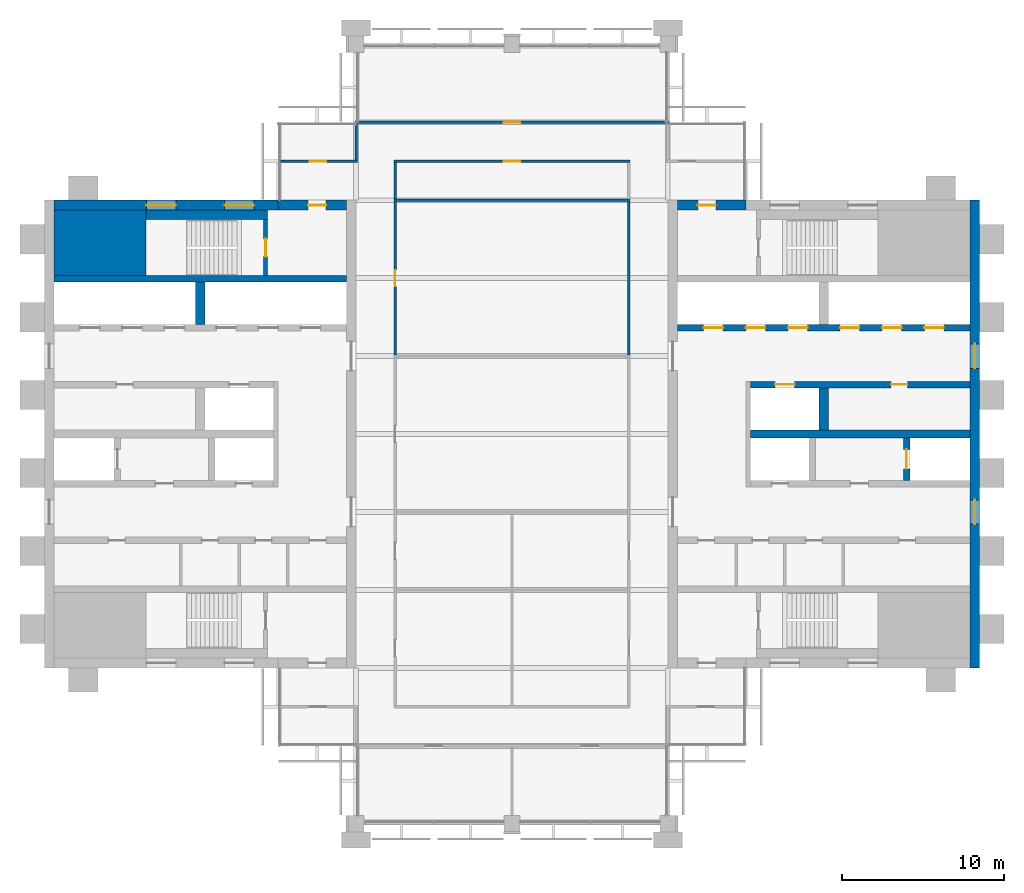
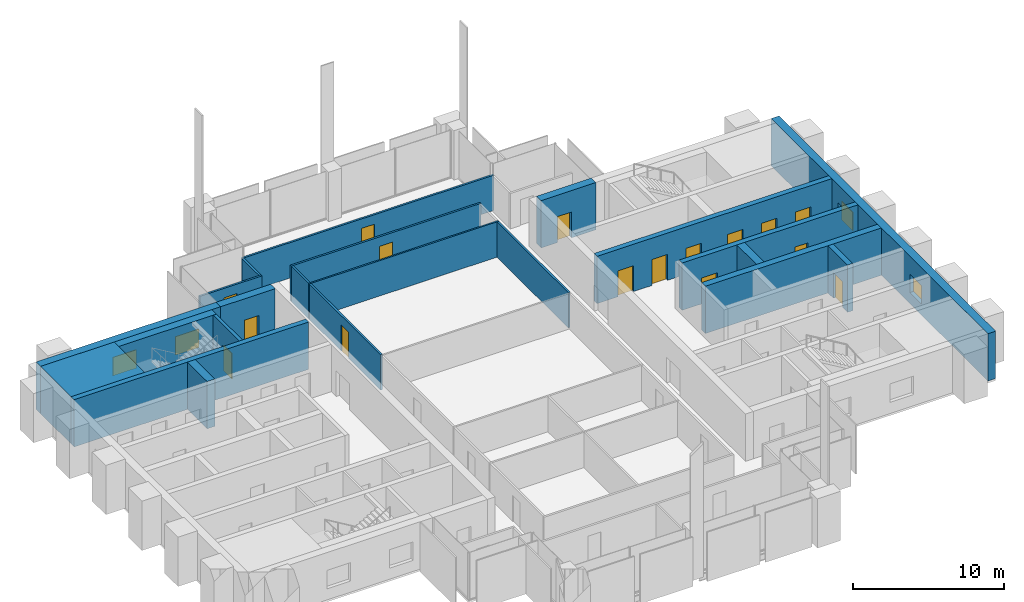
# One storey, part 10 of 12: 22 walls, 16 doors, 4 windows, 20 openings.
"""IFC4 building model written with IfcOpenShell, lengths in metres."""

from ifc_helpers import new_model, si_unit, direction, frame, frame_2d, origin, place, context, subcontext, project, spatial, rectangle, extrude, material, layer, layer_set, type_object, element, fill, save


model = new_model("IFC4")

# Units and contexts
model_context = context("Model", 3, precision=1e-05, world=origin(), true_north=direction((0.0, 1.0)))
body_context = subcontext(model_context, "Body", "Model", "MODEL_VIEW")
ifc_project = project(units=[si_unit("LENGTHUNIT", "METRE"), si_unit("AREAUNIT", "SQUARE_METRE"), si_unit("VOLUMEUNIT", "CUBIC_METRE"), si_unit("PLANEANGLEUNIT", "RADIAN"), si_unit("MASSUNIT", "GRAM", prefix="KILO")], contexts=[model_context])

# Site, building, storey
site_placement = place(None, origin())
site = spatial("IfcSite", under=ifc_project, at=site_placement, CompositionType="ELEMENT")
building_placement = place(site_placement, origin())
building = spatial("IfcBuilding", under=site, at=building_placement, Name="Baori Bourse Tower", CompositionType="ELEMENT")
storey_placement = place(building_placement, frame((0.0, 0.0, 342.300048828125)))
storey = spatial("IfcBuildingStorey", under=building, at=storey_placement, Name="L76", CompositionType="ELEMENT", Elevation=342.300048828125)

# Wall
ifc_material_1 = material(Name="Concrete f'c 40 MPa", Category="concrete")
wall_type_1 = type_object("IfcWallType", Name="Core corner block f'c 40", PredefinedType="SHEAR", material=ifc_material_1)
wall_1_placement = place(storey_placement, frame((0.60009765625, 35.77490234375, 0.0), z_axis=(0.0, 0.0, 1.0), x_axis=(1.0, 0.0, 0.0)))
element("IfcWall", 1, at=wall_1_placement, inside=storey, type_object=wall_type_1, Name="Core wall W23", PredefinedType="SHEAR", context=body_context, shape_type="SweptSolid", body=[
    extrude(rectangle(XDim=5.64990234375, YDim=4.050048828125, at=frame_2d((2.824951171875, 0.0))), origin(), (0.0, 0.0, 1.0), 3.83984375),
])

# Wall, openings, windows
ifc_material_2 = material(Name="Concrete f'c 40 MPa", Category="concrete")
ifc_layer_1 = layer(ifc_material_2, 0.60009765625)
ifc_layer_set_1 = layer_set([ifc_layer_1], Name="Core wall 600 f'c 40")
wall_type_2 = type_object("IfcWallType", Name="Core wall 600 f'c 40", PredefinedType="SHEAR", material=ifc_layer_set_1)
wall_2_placement = place(storey_placement, frame((0.60009765625, 38.10009765625, 0.0), z_axis=(0.0, 0.0, 1.0), x_axis=(1.0, 0.0, 0.0)))
wall_2 = element("IfcWall", 2, at=wall_2_placement, inside=storey, type_object=wall_type_2, Name="Core wall W26", PredefinedType="SHEAR", context=body_context, shape_type="SweptSolid", body=[
    extrude(rectangle(XDim=13.7998046875, YDim=0.60009765625, at=frame_2d((6.89990234375, 0.0))), origin(), (0.0, 0.0, 1.0), 3.83984375),
])
opening_1_placement = place(wall_2_placement, frame((5.699951171875, 0.0, 0.89990234375)))
opening_1 = element("IfcOpeningElement", 3, at=opening_1_placement, cuts=wall_2, Name="Opening L76-KW105", PredefinedType="OPENING", context=body_context, shape_type="SweptSolid", body=[
    extrude(rectangle(XDim=1.800048828125, YDim=1.5, at=frame_2d((0.89990234375, 0.75))), frame((0.0, 0.31005859375, 0.0), z_axis=(0.0, -1.0, 0.0), x_axis=(1.0, 0.0, 0.0)), (0.0, 0.0, 1.0), 0.6201171875),
])
opening_2_placement = place(wall_2_placement, frame((10.5, 0.0, 0.89990234375)))
opening_2 = element("IfcOpeningElement", 4, at=opening_2_placement, cuts=wall_2, Name="Opening L76-KW106", PredefinedType="OPENING", context=body_context, shape_type="SweptSolid", body=[
    extrude(rectangle(XDim=1.800048828125, YDim=1.5, at=frame_2d((0.89990234375, 0.75))), frame((0.0, 0.31005859375, 0.0), z_axis=(0.0, -1.0, 0.0), x_axis=(1.0, 0.0, 0.0)), (0.0, 0.0, 1.0), 0.6201171875),
])
ifc_material_3 = material(Name="Pale anodised aluminium", Category="aluminium")
window_type_1 = type_object("IfcWindowType", Name="Stair window 1800 x 1500", PartitioningType="SINGLE_PANEL", PredefinedType="WINDOW", material=ifc_material_3)
window_1_placement = place(opening_1_placement, origin())
window_1 = element("IfcWindow", 5, at=window_1_placement, inside=storey, type_object=window_type_1, Name="Stair window W L76 5", OverallHeight=1.5, OverallWidth=1.800048828125, PartitioningType="SINGLE_PANEL", PredefinedType="WINDOW", context=body_context, shape_type="SweptSolid", body=[
    extrude(rectangle(XDim=1.800048828125, YDim=1.5, at=frame_2d((0.89990234375, 0.75))), frame((0.0, 0.030029296875, 0.0), z_axis=(0.0, -1.0, 0.0), x_axis=(1.0, 0.0, 0.0)), (0.0, 0.0, 1.0), 0.06005859375),
])
fill(opening_1, window_1)
window_2_placement = place(opening_2_placement, origin())
window_2 = element("IfcWindow", 6, at=window_2_placement, inside=storey, type_object=window_type_1, Name="Stair window W L76 6", OverallHeight=1.5, OverallWidth=1.800048828125, PartitioningType="SINGLE_PANEL", PredefinedType="WINDOW", context=body_context, shape_type="SweptSolid", body=[
    extrude(rectangle(XDim=1.800048828125, YDim=1.5, at=frame_2d((0.89990234375, 0.75))), frame((0.0, 0.030029296875, 0.0), z_axis=(0.0, -1.0, 0.0), x_axis=(1.0, 0.0, 0.0)), (0.0, 0.0, 1.0), 0.06005859375),
])
fill(opening_2, window_2)

# Wall, opening, door
wall_3_placement = place(storey_placement, frame((14.39990234375, 38.10009765625, 0.0), z_axis=(0.0, 0.0, 1.0), x_axis=(1.0, 0.0, 0.0)))
wall_3 = element("IfcWall", 7, at=wall_3_placement, inside=storey, type_object=wall_type_2, Name="Core wall W27", PredefinedType="SHEAR", context=body_context, shape_type="SweptSolid", body=[
    extrude(rectangle(XDim=4.2001953125, YDim=0.60009765625, at=frame_2d((2.10009765625, 0.0))), origin(), (0.0, 0.0, 1.0), 3.83984375),
])
opening_3_placement = place(wall_3_placement, frame((1.85009765625, 0.0, 0.0)))
opening_3 = element("IfcOpeningElement", 8, at=opening_3_placement, cuts=wall_3, Name="Opening L76-D104", PredefinedType="OPENING", context=body_context, shape_type="SweptSolid", body=[
    extrude(rectangle(XDim=1.10009765625, YDim=2.10009765625, at=frame_2d((0.550048828125, 1.050048828125))), frame((0.0, 0.31005859375, 0.0), z_axis=(0.0, -1.0, 0.0), x_axis=(1.0, 0.0, 0.0)), (0.0, 0.0, 1.0), 0.6201171875),
])
ifc_material_4 = material(Name="Painted steel door", Category="steel")
door_type_1 = type_object("IfcDoorType", Name="Stair door 1100", OperationType="SINGLE_SWING_LEFT", PredefinedType="DOOR", material=ifc_material_4)
door_1_placement = place(opening_3_placement, origin())
door_1 = element("IfcDoor", 9, at=door_1_placement, inside=storey, type_object=door_type_1, Name="Stair vestibule door B W L76", OperationType="SINGLE_SWING_LEFT", OverallHeight=2.10009765625, OverallWidth=1.10009765625, PredefinedType="DOOR", context=body_context, shape_type="SweptSolid", body=[
    extrude(rectangle(XDim=1.10009765625, YDim=2.10009765625, at=frame_2d((0.550048828125, 1.050048828125))), frame((0.0, 0.02490234375, 0.0), z_axis=(0.0, -1.0, 0.0), x_axis=(1.0, 0.0, 0.0)), (0.0, 0.0, 1.0), 0.050048828125),
])
fill(opening_3, door_1)

# Wall, openings, windows
wall_4_placement = place(storey_placement, frame((57.300048828125, 38.39990234375, 0.0), z_axis=(0.0, 0.0, 1.0), x_axis=(0.0, -1.0, 0.0)))
wall_4 = element("IfcWall", 10, at=wall_4_placement, inside=storey, type_object=wall_type_2, Name="Core wall E01", PredefinedType="SHEAR", context=body_context, shape_type="SweptSolid", body=[
    extrude(rectangle(XDim=28.7998046875, YDim=0.60009765625, at=frame_2d((14.39990234375, 0.0))), origin(), (0.0, 0.0, 1.0), 3.83984375),
])
opening_4_placement = place(wall_4_placement, frame((18.449951171875, 0.0, 0.89990234375)))
opening_4 = element("IfcOpeningElement", 11, at=opening_4_placement, cuts=wall_4, Name="Opening L76-KW201", PredefinedType="OPENING", context=body_context, shape_type="SweptSolid", body=[
    extrude(rectangle(XDim=1.5, YDim=1.5, at=frame_2d((0.75, 0.75))), frame((0.0, 0.31005859375, 0.0), z_axis=(0.0, -1.0, 0.0), x_axis=(1.0, 0.0, 0.0)), (0.0, 0.0, 1.0), 0.6201171875),
])
opening_5_placement = place(wall_4_placement, frame((8.85009765625, 0.0, 0.89990234375)))
opening_5 = element("IfcOpeningElement", 12, at=opening_5_placement, cuts=wall_4, Name="Opening L76-KW202", PredefinedType="OPENING", context=body_context, shape_type="SweptSolid", body=[
    extrude(rectangle(XDim=1.5, YDim=1.5, at=frame_2d((0.75, 0.75))), frame((0.0, 0.31005859375, 0.0), z_axis=(0.0, -1.0, 0.0), x_axis=(1.0, 0.0, 0.0)), (0.0, 0.0, 1.0), 0.6201171875),
])
ifc_material_5 = material(Name="Pale anodised aluminium", Category="aluminium")
window_type_2 = type_object("IfcWindowType", Name="Lobby window 1500 x 1500", PartitioningType="SINGLE_PANEL", PredefinedType="WINDOW", material=ifc_material_5)
window_3_placement = place(opening_4_placement, origin())
window_3 = element("IfcWindow", 13, at=window_3_placement, inside=storey, type_object=window_type_2, Name="Outer wall window E L76 1", OverallHeight=1.5, OverallWidth=1.5, PartitioningType="SINGLE_PANEL", PredefinedType="WINDOW", context=body_context, shape_type="SweptSolid", body=[
    extrude(rectangle(XDim=1.5, YDim=1.5, at=frame_2d((0.75, 0.75))), frame((0.0, 0.030029296875, 0.0), z_axis=(0.0, -1.0, 0.0), x_axis=(1.0, 0.0, 0.0)), (0.0, 0.0, 1.0), 0.06005859375),
])
fill(opening_4, window_3)
window_4_placement = place(opening_5_placement, origin())
window_4 = element("IfcWindow", 14, at=window_4_placement, inside=storey, type_object=window_type_2, Name="Outer wall window E L76 2", OverallHeight=1.5, OverallWidth=1.5, PartitioningType="SINGLE_PANEL", PredefinedType="WINDOW", context=body_context, shape_type="SweptSolid", body=[
    extrude(rectangle(XDim=1.5, YDim=1.5, at=frame_2d((0.75, 0.75))), frame((0.0, 0.030029296875, 0.0), z_axis=(0.0, -1.0, 0.0), x_axis=(1.0, 0.0, 0.0)), (0.0, 0.0, 1.0), 0.06005859375),
])
fill(opening_5, window_4)

# Wall, opening, door
wall_5_placement = place(storey_placement, frame((39.0, 38.10009765625, 0.0), z_axis=(0.0, 0.0, 1.0), x_axis=(1.0, 0.0, 0.0)))
wall_5 = element("IfcWall", 15, at=wall_5_placement, inside=storey, type_object=wall_type_2, Name="Core wall E27", PredefinedType="SHEAR", context=body_context, shape_type="SweptSolid", body=[
    extrude(rectangle(XDim=4.199951171875, YDim=0.60009765625, at=frame_2d((2.10009765625, 0.0))), origin(), (0.0, 0.0, 1.0), 3.83984375),
])
opening_6_placement = place(wall_5_placement, frame((1.25, 0.0, 0.0)))
opening_6 = element("IfcOpeningElement", 16, at=opening_6_placement, cuts=wall_5, Name="Opening L76-D204", PredefinedType="OPENING", context=body_context, shape_type="SweptSolid", body=[
    extrude(rectangle(XDim=1.10009765625, YDim=2.10009765625, at=frame_2d((0.550048828125, 1.050048828125))), frame((0.0, 0.31005859375, 0.0), z_axis=(0.0, -1.0, 0.0), x_axis=(1.0, 0.0, 0.0)), (0.0, 0.0, 1.0), 0.6201171875),
])
door_2_placement = place(opening_6_placement, origin())
door_2 = element("IfcDoor", 17, at=door_2_placement, inside=storey, type_object=door_type_1, Name="Stair vestibule door B E L76", OperationType="SINGLE_SWING_LEFT", OverallHeight=2.10009765625, OverallWidth=1.10009765625, PredefinedType="DOOR", context=body_context, shape_type="SweptSolid", body=[
    extrude(rectangle(XDim=1.10009765625, YDim=2.10009765625, at=frame_2d((0.550048828125, 1.050048828125))), frame((0.0, 0.02490234375, 0.0), z_axis=(0.0, -1.0, 0.0), x_axis=(1.0, 0.0, 0.0)), (0.0, 0.0, 1.0), 0.050048828125),
])
fill(opening_6, door_2)

ifc_material_6 = material(Name="Gypsum board partition")
ifc_layer_2 = layer(ifc_material_6, 0.14990234375)
ifc_layer_set_2 = layer_set([ifc_layer_2], Name="Corridor partition 150")
wall_type_3 = type_object("IfcWallType", Name="Corridor partition 150", PredefinedType="PARTITIONING", material=ifc_layer_set_2)
wall_6_placement = place(storey_placement, frame((14.5, 40.800048828125, 0.0), z_axis=(0.0, 0.0, 1.0), x_axis=(1.0, 0.0, 0.0)))
wall_6 = element("IfcWall", 18, at=wall_6_placement, inside=storey, type_object=wall_type_3, Name="Partition", PredefinedType="PARTITIONING", context=body_context, shape_type="SweptSolid", body=[
    extrude(rectangle(XDim=4.77490234375, YDim=0.14990234375, at=frame_2d((2.387451171875, 0.0))), origin(), (0.0, 0.0, 1.0), 2.86962890625),
])
opening_7_placement = place(wall_6_placement, frame((1.85009765625, 0.0, 0.0)))
opening_7 = element("IfcOpeningElement", 19, at=opening_7_placement, cuts=wall_6, Name="Opening L76-D05", PredefinedType="OPENING", context=body_context, shape_type="SweptSolid", body=[
    extrude(rectangle(XDim=1.0, YDim=2.10009765625, at=frame_2d((0.5, 1.050048828125))), frame((0.0, 0.0849609375, 0.0), z_axis=(0.0, -1.0, 0.0), x_axis=(1.0, 0.0, 0.0)), (0.0, 0.0, 1.0), 0.169921875),
])
ifc_material_7 = material(Name="Timber door leaf", Category="wood")
door_type_2 = type_object("IfcDoorType", Name="Door 1000 x 2100", OperationType="SINGLE_SWING_LEFT", PredefinedType="DOOR", material=ifc_material_7)
door_3_placement = place(opening_7_placement, origin())
door_3 = element("IfcDoor", 20, at=door_3_placement, inside=storey, type_object=door_type_2, Name="Door", OperationType="SINGLE_SWING_RIGHT", OverallHeight=2.10009765625, OverallWidth=1.0, PredefinedType="DOOR", context=body_context, shape_type="SweptSolid", body=[
    extrude(rectangle(XDim=1.0, YDim=2.10009765625, at=frame_2d((0.5, 1.050048828125))), frame((0.0, 0.02490234375, 0.0), z_axis=(0.0, -1.0, 0.0), x_axis=(1.0, 0.0, 0.0)), (0.0, 0.0, 1.0), 0.050048828125),
])
fill(opening_7, door_3)

wall_7_placement = place(storey_placement, frame((21.52490234375, 40.800048828125, 0.0), z_axis=(0.0, 0.0, 1.0), x_axis=(1.0, 0.0, 0.0)))
wall_7 = element("IfcWall", 21, at=wall_7_placement, inside=storey, type_object=wall_type_3, Name="Partition", PredefinedType="PARTITIONING", context=body_context, shape_type="SweptSolid", body=[
    extrude(rectangle(XDim=14.550048828125, YDim=0.14990234375, at=frame_2d((7.27490234375, 0.0))), origin(), (0.0, 0.0, 1.0), 2.86962890625),
])
opening_8_placement = place(wall_7_placement, frame((6.77490234375, 0.0, 0.0)))
opening_8 = element("IfcOpeningElement", 22, at=opening_8_placement, cuts=wall_7, Name="Opening L76-D06", PredefinedType="OPENING", context=body_context, shape_type="SweptSolid", body=[
    extrude(rectangle(XDim=1.0, YDim=2.10009765625, at=frame_2d((0.5, 1.050048828125))), frame((0.0, 0.0849609375, 0.0), z_axis=(0.0, -1.0, 0.0), x_axis=(1.0, 0.0, 0.0)), (0.0, 0.0, 1.0), 0.169921875),
])
door_4_placement = place(opening_8_placement, origin())
door_4 = element("IfcDoor", 23, at=door_4_placement, inside=storey, type_object=door_type_2, Name="Door", OperationType="SINGLE_SWING_LEFT", OverallHeight=2.10009765625, OverallWidth=1.0, PredefinedType="DOOR", context=body_context, shape_type="SweptSolid", body=[
    extrude(rectangle(XDim=1.0, YDim=2.10009765625, at=frame_2d((0.5, 1.050048828125))), frame((0.0, 0.02490234375, 0.0), z_axis=(0.0, -1.0, 0.0), x_axis=(1.0, 0.0, 0.0)), (0.0, 0.0, 1.0), 0.050048828125),
])
fill(opening_8, door_4)

wall_8_placement = place(storey_placement, frame((19.125, 43.199951171875, 0.0), z_axis=(0.0, 0.0, 1.0), x_axis=(1.0, 0.0, 0.0)))
wall_8 = element("IfcWall", 24, at=wall_8_placement, inside=storey, type_object=wall_type_3, Name="Partition", PredefinedType="PARTITIONING", context=body_context, shape_type="SweptSolid", body=[
    extrude(rectangle(XDim=19.35009765625, YDim=0.14990234375, at=frame_2d((9.675048828125, 0.0))), origin(), (0.0, 0.0, 1.0), 2.86962890625),
])
opening_9_placement = place(wall_8_placement, frame((9.175048828125, 0.0, 0.0)))
opening_9 = element("IfcOpeningElement", 25, at=opening_9_placement, cuts=wall_8, Name="Opening L76-D08", PredefinedType="OPENING", context=body_context, shape_type="SweptSolid", body=[
    extrude(rectangle(XDim=1.0, YDim=2.10009765625, at=frame_2d((0.5, 1.050048828125))), frame((0.0, 0.0849609375, 0.0), z_axis=(0.0, -1.0, 0.0), x_axis=(1.0, 0.0, 0.0)), (0.0, 0.0, 1.0), 0.169921875),
])
door_5_placement = place(opening_9_placement, origin())
door_5 = element("IfcDoor", 26, at=door_5_placement, inside=storey, type_object=door_type_2, Name="Door", OperationType="SINGLE_SWING_RIGHT", OverallHeight=2.10009765625, OverallWidth=1.0, PredefinedType="DOOR", context=body_context, shape_type="SweptSolid", body=[
    extrude(rectangle(XDim=1.0, YDim=2.10009765625, at=frame_2d((0.5, 1.050048828125))), frame((0.0, 0.02490234375, 0.0), z_axis=(0.0, -1.0, 0.0), x_axis=(1.0, 0.0, 0.0)), (0.0, 0.0, 1.0), 0.050048828125),
])
fill(opening_9, door_5)

# Wall
wall_9_placement = place(storey_placement, frame((19.199951171875, 40.875, 0.0), z_axis=(0.0, 0.0, 1.0), x_axis=(0.0, 1.0, 0.0)))
element("IfcWall", 27, at=wall_9_placement, inside=storey, type_object=wall_type_3, Name="Partition", PredefinedType="PARTITIONING", context=body_context, shape_type="SweptSolid", body=[
    extrude(rectangle(XDim=2.25, YDim=0.14990234375, at=frame_2d((1.125, 0.0))), origin(), (0.0, 0.0, 1.0), 2.86962890625),
])

# Wall, opening, door
wall_10_placement = place(storey_placement, frame((21.60009765625, 28.862548828125, 0.0), z_axis=(0.0, 0.0, 1.0), x_axis=(0.0, 1.0, 0.0)))
wall_10 = element("IfcWall", 28, at=wall_10_placement, inside=storey, type_object=wall_type_3, Name="Partition", PredefinedType="PARTITIONING", context=body_context, shape_type="SweptSolid", body=[
    extrude(rectangle(XDim=9.474853515625, YDim=0.14990234375, at=frame_2d((4.7373046875, 0.0))), origin(), (0.0, 0.0, 1.0), 2.86962890625),
])
opening_10_placement = place(wall_10_placement, frame((4.237548828125, 0.0, 0.0)))
opening_10 = element("IfcOpeningElement", 29, at=opening_10_placement, cuts=wall_10, Name="Opening L76-D12", PredefinedType="OPENING", context=body_context, shape_type="SweptSolid", body=[
    extrude(rectangle(XDim=1.0, YDim=2.10009765625, at=frame_2d((0.5, 1.050048828125))), frame((0.0, 0.0849609375, 0.0), z_axis=(0.0, -1.0, 0.0), x_axis=(1.0, 0.0, 0.0)), (0.0, 0.0, 1.0), 0.169921875),
])
door_6_placement = place(opening_10_placement, origin())
door_6 = element("IfcDoor", 30, at=door_6_placement, inside=storey, type_object=door_type_2, Name="Door", OperationType="SINGLE_SWING_RIGHT", OverallHeight=2.10009765625, OverallWidth=1.0, PredefinedType="DOOR", context=body_context, shape_type="SweptSolid", body=[
    extrude(rectangle(XDim=1.0, YDim=2.10009765625, at=frame_2d((0.5, 1.050048828125))), frame((0.0, 0.02490234375, 0.0), z_axis=(0.0, -1.0, 0.0), x_axis=(1.0, 0.0, 0.0)), (0.0, 0.0, 1.0), 0.050048828125),
])
fill(opening_10, door_6)

# Walls
wall_11_placement = place(storey_placement, frame((21.60009765625, 38.46240234375, 0.0), z_axis=(0.0, 0.0, 1.0), x_axis=(0.0, 1.0, 0.0)))
element("IfcWall", 31, at=wall_11_placement, inside=storey, type_object=wall_type_3, Name="Partition", PredefinedType="PARTITIONING", context=body_context, shape_type="SweptSolid", body=[
    extrude(rectangle(XDim=2.2626953125, YDim=0.14990234375, at=frame_2d((1.13134765625, 0.0))), origin(), (0.0, 0.0, 1.0), 2.86962890625),
])
wall_12_placement = place(storey_placement, frame((36.0, 28.862548828125, 0.0), z_axis=(0.0, 0.0, 1.0), x_axis=(0.0, 1.0, 0.0)))
element("IfcWall", 32, at=wall_12_placement, inside=storey, type_object=wall_type_3, Name="Partition", PredefinedType="PARTITIONING", context=body_context, shape_type="SweptSolid", body=[
    extrude(rectangle(XDim=9.474853515625, YDim=0.14990234375, at=frame_2d((4.7373046875, 0.0))), origin(), (0.0, 0.0, 1.0), 2.86962890625),
])
ifc_material_8 = material(Name="Gypsum board partition")
ifc_layer_3 = layer(ifc_material_8, 0.125)
ifc_layer_set_3 = layer_set([ifc_layer_3], Name="Partition 125")
wall_type_4 = type_object("IfcWallType", Name="Partition 125", PredefinedType="PARTITIONING", material=ifc_layer_set_3)
wall_13_placement = place(storey_placement, frame((21.52490234375, 38.39990234375, 0.0), z_axis=(0.0, 0.0, 1.0), x_axis=(1.0, 0.0, 0.0)))
element("IfcWall", 33, at=wall_13_placement, inside=storey, type_object=wall_type_4, Name="Partition", PredefinedType="PARTITIONING", context=body_context, shape_type="SweptSolid", body=[
    extrude(rectangle(XDim=14.550048828125, YDim=0.125, at=frame_2d((7.27490234375, 0.0))), origin(), (0.0, 0.0, 1.0), 2.86962890625),
])

# Wall, opening, door
ifc_material_9 = material(Name="Concrete f'c 40 MPa", Category="concrete")
ifc_layer_4 = layer(ifc_material_9, 0.25)
ifc_layer_set_4 = layer_set([ifc_layer_4], Name="Shaft wall 250 f'c 40")
wall_type_5 = type_object("IfcWallType", Name="Shaft wall 250 f'c 40", PredefinedType="SHEAR", material=ifc_layer_set_4)
wall_14_placement = place(storey_placement, frame((13.625, 33.75, 0.0), z_axis=(0.0, 0.0, 1.0), x_axis=(0.0, 1.0, 0.0)))
wall_14 = element("IfcWall", 34, at=wall_14_placement, inside=storey, type_object=wall_type_5, Name="Core wall W24", PredefinedType="SHEAR", context=body_context, shape_type="SweptSolid", body=[
    extrude(rectangle(XDim=3.449951171875, YDim=0.25, at=frame_2d((1.72509765625, 0.0))), origin(), (0.0, 0.0, 1.0), 3.83984375),
])
opening_11_placement = place(wall_14_placement, frame((1.175048828125, 0.0, 0.0)))
opening_11 = element("IfcOpeningElement", 35, at=opening_11_placement, cuts=wall_14, Name="Opening L76-D103", PredefinedType="OPENING", context=body_context, shape_type="SweptSolid", body=[
    extrude(rectangle(XDim=1.10009765625, YDim=2.10009765625, at=frame_2d((0.550048828125, 1.050048828125))), frame((0.0, 0.135009765625, 0.0), z_axis=(0.0, -1.0, 0.0), x_axis=(1.0, 0.0, 0.0)), (0.0, 0.0, 1.0), 0.27001953125),
])
door_7_placement = place(opening_11_placement, origin())
door_7 = element("IfcDoor", 36, at=door_7_placement, inside=storey, type_object=door_type_1, Name="Stair door B W L76", OperationType="SINGLE_SWING_LEFT", OverallHeight=2.10009765625, OverallWidth=1.10009765625, PredefinedType="DOOR", context=body_context, shape_type="SweptSolid", body=[
    extrude(rectangle(XDim=1.10009765625, YDim=2.10009765625, at=frame_2d((0.550048828125, 1.050048828125))), frame((0.0, 0.02490234375, 0.0), z_axis=(0.0, -1.0, 0.0), x_axis=(1.0, 0.0, 0.0)), (0.0, 0.0, 1.0), 0.050048828125),
])
fill(opening_11, door_7)

# Wall
ifc_material_10 = material(Name="Concrete f'c 40 MPa", Category="concrete")
ifc_layer_5 = layer(ifc_material_10, 0.39990234375)
ifc_layer_set_5 = layer_set([ifc_layer_5], Name="Shaft wall 400 f'c 40")
wall_type_6 = type_object("IfcWallType", Name="Shaft wall 400 f'c 40", PredefinedType="SHEAR", material=ifc_layer_set_5)
wall_15_placement = place(storey_placement, frame((0.60009765625, 33.550048828125, 0.0), z_axis=(0.0, 0.0, 1.0), x_axis=(1.0, 0.0, 0.0)))
element("IfcWall", 37, at=wall_15_placement, inside=storey, type_object=wall_type_6, Name="Core wall W22", PredefinedType="SHEAR", context=body_context, shape_type="SweptSolid", body=[
    extrude(rectangle(XDim=18.0, YDim=0.39990234375, at=frame_2d((9.0, 0.0))), origin(), (0.0, 0.0, 1.0), 3.83984375),
])

# Wall, opening, door
wall_16_placement = place(storey_placement, frame((53.10009765625, 21.14990234375, 0.0), z_axis=(0.0, 0.0, 1.0), x_axis=(0.0, 1.0, 0.0)))
wall_16 = element("IfcWall", 38, at=wall_16_placement, inside=storey, type_object=wall_type_6, Name="Core wall E15", PredefinedType="SHEAR", context=body_context, shape_type="SweptSolid", body=[
    extrude(rectangle(XDim=2.60009765625, YDim=0.39990234375, at=frame_2d((1.300048828125, 0.0))), origin(), (0.0, 0.0, 1.0), 3.83984375),
])
opening_12_placement = place(wall_16_placement, frame((0.699951171875, 0.0, 0.0)))
opening_12 = element("IfcOpeningElement", 39, at=opening_12_placement, cuts=wall_16, Name="Opening L76-D221", PredefinedType="OPENING", context=body_context, shape_type="SweptSolid", body=[
    extrude(rectangle(XDim=1.199951171875, YDim=2.10009765625, at=frame_2d((0.60009765625, 1.050048828125))), frame((0.0, 0.2099609375, 0.0), z_axis=(0.0, -1.0, 0.0), x_axis=(1.0, 0.0, 0.0)), (0.0, 0.0, 1.0), 0.419921875),
])
ifc_material_11 = material(Name="Stainless steel door", Category="steel")
door_type_3 = type_object("IfcDoorType", Name="Lift landing door", OperationType="DOUBLE_DOOR_SLIDING", PredefinedType="DOOR", material=ifc_material_11)
door_8_placement = place(opening_12_placement, origin())
door_8 = element("IfcDoor", 40, at=door_8_placement, inside=storey, type_object=door_type_3, Name="Lift landing door FF2 E L76", OperationType="DOUBLE_DOOR_SLIDING", OverallHeight=2.10009765625, OverallWidth=1.199951171875, PredefinedType="DOOR", context=body_context, shape_type="SweptSolid", body=[
    extrude(rectangle(XDim=1.199951171875, YDim=2.10009765625, at=frame_2d((0.60009765625, 1.050048828125))), frame((0.0, 0.02490234375, 0.0), z_axis=(0.0, -1.0, 0.0), x_axis=(1.0, 0.0, 0.0)), (0.0, 0.0, 1.0), 0.050048828125),
])
fill(opening_12, door_8)

# Wall, openings, doors
wall_17_placement = place(storey_placement, frame((43.5, 27.050048828125, 0.0), z_axis=(0.0, 0.0, 1.0), x_axis=(1.0, 0.0, 0.0)))
wall_17 = element("IfcWall", 41, at=wall_17_placement, inside=storey, type_object=wall_type_6, Name="Core wall E19", PredefinedType="SHEAR", context=body_context, shape_type="SweptSolid", body=[
    extrude(rectangle(XDim=13.5, YDim=0.39990234375, at=frame_2d((6.75, 0.0))), origin(), (0.0, 0.0, 1.0), 3.83984375),
])
opening_13_placement = place(wall_17_placement, frame((8.64990234375, 0.0, 0.0)))
opening_13 = element("IfcOpeningElement", 42, at=opening_13_placement, cuts=wall_17, Name="Opening L76-D213", PredefinedType="OPENING", context=body_context, shape_type="SweptSolid", body=[
    extrude(rectangle(XDim=1.0, YDim=2.10009765625, at=frame_2d((0.5, 1.050048828125))), frame((0.0, 0.2099609375, 0.0), z_axis=(0.0, -1.0, 0.0), x_axis=(1.0, 0.0, 0.0)), (0.0, 0.0, 1.0), 0.419921875),
])
opening_14_placement = place(wall_17_placement, frame((1.5, 0.0, 0.0)))
opening_14 = element("IfcOpeningElement", 43, at=opening_14_placement, cuts=wall_17, Name="Opening L76-D220", PredefinedType="OPENING", context=body_context, shape_type="SweptSolid", body=[
    extrude(rectangle(XDim=1.199951171875, YDim=2.10009765625, at=frame_2d((0.60009765625, 1.050048828125))), frame((0.0, 0.2099609375, 0.0), z_axis=(0.0, -1.0, 0.0), x_axis=(1.0, 0.0, 0.0)), (0.0, 0.0, 1.0), 0.419921875),
])
ifc_material_12 = material(Name="Painted steel door", Category="steel")
door_type_4 = type_object("IfcDoorType", Name="Core door 1000", OperationType="SINGLE_SWING_LEFT", PredefinedType="DOOR", material=ifc_material_12)
door_9_placement = place(opening_13_placement, origin())
door_9 = element("IfcDoor", 44, at=door_9_placement, inside=storey, type_object=door_type_4, Name="Copy Room door E L76", OperationType="SINGLE_SWING_LEFT", OverallHeight=2.10009765625, OverallWidth=1.0, PredefinedType="DOOR", context=body_context, shape_type="SweptSolid", body=[
    extrude(rectangle(XDim=1.0, YDim=2.10009765625, at=frame_2d((0.5, 1.050048828125))), frame((0.0, 0.02490234375, 0.0), z_axis=(0.0, -1.0, 0.0), x_axis=(1.0, 0.0, 0.0)), (0.0, 0.0, 1.0), 0.050048828125),
])
fill(opening_13, door_9)
door_10_placement = place(opening_14_placement, origin())
door_10 = element("IfcDoor", 45, at=door_10_placement, inside=storey, type_object=door_type_3, Name="Lift landing door SV1 E L76", OperationType="DOUBLE_DOOR_SLIDING", OverallHeight=2.10009765625, OverallWidth=1.199951171875, PredefinedType="DOOR", context=body_context, shape_type="SweptSolid", body=[
    extrude(rectangle(XDim=1.199951171875, YDim=2.10009765625, at=frame_2d((0.60009765625, 1.050048828125))), frame((0.0, 0.02490234375, 0.0), z_axis=(0.0, -1.0, 0.0), x_axis=(1.0, 0.0, 0.0)), (0.0, 0.0, 1.0), 0.050048828125),
])
fill(opening_14, door_10)

wall_18_placement = place(storey_placement, frame((39.0, 30.550048828125, 0.0), z_axis=(0.0, 0.0, 1.0), x_axis=(1.0, 0.0, 0.0)))
wall_18 = element("IfcWall", 46, at=wall_18_placement, inside=storey, type_object=wall_type_6, Name="Core wall E20", PredefinedType="SHEAR", context=body_context, shape_type="SweptSolid", body=[
    extrude(rectangle(XDim=18.0, YDim=0.39990234375, at=frame_2d((9.0, 0.0))), origin(), (0.0, 0.0, 1.0), 3.83984375),
])
opening_15_placement = place(wall_18_placement, frame((15.199951171875, 0.0, 0.0)))
opening_15 = element("IfcOpeningElement", 47, at=opening_15_placement, cuts=wall_18, Name="Opening L76-D214", PredefinedType="OPENING", context=body_context, shape_type="SweptSolid", body=[
    extrude(rectangle(XDim=1.199951171875, YDim=2.10009765625, at=frame_2d((0.60009765625, 1.050048828125))), frame((0.0, 0.2099609375, 0.0), z_axis=(0.0, -1.0, 0.0), x_axis=(1.0, 0.0, 0.0)), (0.0, 0.0, 1.0), 0.419921875),
])
opening_16_placement = place(wall_18_placement, frame((12.60009765625, 0.0, 0.0)))
opening_16 = element("IfcOpeningElement", 48, at=opening_16_placement, cuts=wall_18, Name="Opening L76-D215", PredefinedType="OPENING", context=body_context, shape_type="SweptSolid", body=[
    extrude(rectangle(XDim=1.199951171875, YDim=2.10009765625, at=frame_2d((0.60009765625, 1.050048828125))), frame((0.0, 0.2099609375, 0.0), z_axis=(0.0, -1.0, 0.0), x_axis=(1.0, 0.0, 0.0)), (0.0, 0.0, 1.0), 0.419921875),
])
opening_17_placement = place(wall_18_placement, frame((10.0, 0.0, 0.0)))
opening_17 = element("IfcOpeningElement", 49, at=opening_17_placement, cuts=wall_18, Name="Opening L76-D216", PredefinedType="OPENING", context=body_context, shape_type="SweptSolid", body=[
    extrude(rectangle(XDim=1.199951171875, YDim=2.10009765625, at=frame_2d((0.60009765625, 1.050048828125))), frame((0.0, 0.2099609375, 0.0), z_axis=(0.0, -1.0, 0.0), x_axis=(1.0, 0.0, 0.0)), (0.0, 0.0, 1.0), 0.419921875),
])
opening_18_placement = place(wall_18_placement, frame((6.800048828125, 0.0, 0.0)))
opening_18 = element("IfcOpeningElement", 50, at=opening_18_placement, cuts=wall_18, Name="Opening L76-D217", PredefinedType="OPENING", context=body_context, shape_type="SweptSolid", body=[
    extrude(rectangle(XDim=1.199951171875, YDim=2.10009765625, at=frame_2d((0.60009765625, 1.050048828125))), frame((0.0, 0.2099609375, 0.0), z_axis=(0.0, -1.0, 0.0), x_axis=(1.0, 0.0, 0.0)), (0.0, 0.0, 1.0), 0.419921875),
])
opening_19_placement = place(wall_18_placement, frame((4.199951171875, 0.0, 0.0)))
opening_19 = element("IfcOpeningElement", 51, at=opening_19_placement, cuts=wall_18, Name="Opening L76-D218", PredefinedType="OPENING", context=body_context, shape_type="SweptSolid", body=[
    extrude(rectangle(XDim=1.199951171875, YDim=2.10009765625, at=frame_2d((0.60009765625, 1.050048828125))), frame((0.0, 0.2099609375, 0.0), z_axis=(0.0, -1.0, 0.0), x_axis=(1.0, 0.0, 0.0)), (0.0, 0.0, 1.0), 0.419921875),
])
opening_20_placement = place(wall_18_placement, frame((1.60009765625, 0.0, 0.0)))
opening_20 = element("IfcOpeningElement", 52, at=opening_20_placement, cuts=wall_18, Name="Opening L76-D219", PredefinedType="OPENING", context=body_context, shape_type="SweptSolid", body=[
    extrude(rectangle(XDim=1.199951171875, YDim=2.10009765625, at=frame_2d((0.60009765625, 1.050048828125))), frame((0.0, 0.2099609375, 0.0), z_axis=(0.0, -1.0, 0.0), x_axis=(1.0, 0.0, 0.0)), (0.0, 0.0, 1.0), 0.419921875),
])
door_11_placement = place(opening_15_placement, origin())
door_11 = element("IfcDoor", 53, at=door_11_placement, inside=storey, type_object=door_type_3, Name="Lift landing door HR1 E L76", OperationType="DOUBLE_DOOR_SLIDING", OverallHeight=2.10009765625, OverallWidth=1.199951171875, PredefinedType="DOOR", context=body_context, shape_type="SweptSolid", body=[
    extrude(rectangle(XDim=1.199951171875, YDim=2.10009765625, at=frame_2d((0.60009765625, 1.050048828125))), frame((0.0, 0.02490234375, 0.0), z_axis=(0.0, -1.0, 0.0), x_axis=(1.0, 0.0, 0.0)), (0.0, 0.0, 1.0), 0.050048828125),
])
fill(opening_15, door_11)
door_12_placement = place(opening_16_placement, origin())
door_12 = element("IfcDoor", 54, at=door_12_placement, inside=storey, type_object=door_type_3, Name="Lift landing door HR2 E L76", OperationType="DOUBLE_DOOR_SLIDING", OverallHeight=2.10009765625, OverallWidth=1.199951171875, PredefinedType="DOOR", context=body_context, shape_type="SweptSolid", body=[
    extrude(rectangle(XDim=1.199951171875, YDim=2.10009765625, at=frame_2d((0.60009765625, 1.050048828125))), frame((0.0, 0.02490234375, 0.0), z_axis=(0.0, -1.0, 0.0), x_axis=(1.0, 0.0, 0.0)), (0.0, 0.0, 1.0), 0.050048828125),
])
fill(opening_16, door_12)
door_13_placement = place(opening_17_placement, origin())
door_13 = element("IfcDoor", 55, at=door_13_placement, inside=storey, type_object=door_type_3, Name="Lift landing door HR3 E L76", OperationType="DOUBLE_DOOR_SLIDING", OverallHeight=2.10009765625, OverallWidth=1.199951171875, PredefinedType="DOOR", context=body_context, shape_type="SweptSolid", body=[
    extrude(rectangle(XDim=1.199951171875, YDim=2.10009765625, at=frame_2d((0.60009765625, 1.050048828125))), frame((0.0, 0.02490234375, 0.0), z_axis=(0.0, -1.0, 0.0), x_axis=(1.0, 0.0, 0.0)), (0.0, 0.0, 1.0), 0.050048828125),
])
fill(opening_17, door_13)
door_14_placement = place(opening_18_placement, origin())
door_14 = element("IfcDoor", 56, at=door_14_placement, inside=storey, type_object=door_type_3, Name="Lift landing door HR4 E L76", OperationType="DOUBLE_DOOR_SLIDING", OverallHeight=2.10009765625, OverallWidth=1.199951171875, PredefinedType="DOOR", context=body_context, shape_type="SweptSolid", body=[
    extrude(rectangle(XDim=1.199951171875, YDim=2.10009765625, at=frame_2d((0.60009765625, 1.050048828125))), frame((0.0, 0.02490234375, 0.0), z_axis=(0.0, -1.0, 0.0), x_axis=(1.0, 0.0, 0.0)), (0.0, 0.0, 1.0), 0.050048828125),
])
fill(opening_18, door_14)
door_15_placement = place(opening_19_placement, origin())
door_15 = element("IfcDoor", 57, at=door_15_placement, inside=storey, type_object=door_type_3, Name="Lift landing door HR5 E L76", OperationType="DOUBLE_DOOR_SLIDING", OverallHeight=2.10009765625, OverallWidth=1.199951171875, PredefinedType="DOOR", context=body_context, shape_type="SweptSolid", body=[
    extrude(rectangle(XDim=1.199951171875, YDim=2.10009765625, at=frame_2d((0.60009765625, 1.050048828125))), frame((0.0, 0.02490234375, 0.0), z_axis=(0.0, -1.0, 0.0), x_axis=(1.0, 0.0, 0.0)), (0.0, 0.0, 1.0), 0.050048828125),
])
fill(opening_19, door_15)
door_16_placement = place(opening_20_placement, origin())
door_16 = element("IfcDoor", 58, at=door_16_placement, inside=storey, type_object=door_type_3, Name="Lift landing door HR6 E L76", OperationType="DOUBLE_DOOR_SLIDING", OverallHeight=2.10009765625, OverallWidth=1.199951171875, PredefinedType="DOOR", context=body_context, shape_type="SweptSolid", body=[
    extrude(rectangle(XDim=1.199951171875, YDim=2.10009765625, at=frame_2d((0.60009765625, 1.050048828125))), frame((0.0, 0.02490234375, 0.0), z_axis=(0.0, -1.0, 0.0), x_axis=(1.0, 0.0, 0.0)), (0.0, 0.0, 1.0), 0.050048828125),
])
fill(opening_20, door_16)

# Walls
ifc_material_13 = material(Name="Concrete f'c 40 MPa", Category="concrete")
ifc_layer_6 = layer(ifc_material_13, 0.5)
ifc_layer_set_6 = layer_set([ifc_layer_6], Name="Shaft wall 500 f'c 40")
wall_type_7 = type_object("IfcWallType", Name="Shaft wall 500 f'c 40", PredefinedType="SHEAR", material=ifc_layer_set_6)
wall_19_placement = place(storey_placement, frame((43.5, 24.0, 0.0), z_axis=(0.0, 0.0, 1.0), x_axis=(1.0, 0.0, 0.0)))
element("IfcWall", 59, at=wall_19_placement, inside=storey, type_object=wall_type_7, Name="Core wall E17", PredefinedType="SHEAR", context=body_context, shape_type="SweptSolid", body=[
    extrude(rectangle(XDim=13.5, YDim=0.5, at=frame_2d((6.75, 0.0))), origin(), (0.0, 0.0, 1.0), 3.83984375),
])
ifc_material_14 = material(Name="Concrete f'c 40 MPa", Category="concrete")
ifc_layer_7 = layer(ifc_material_14, 0.60009765625)
ifc_layer_set_7 = layer_set([ifc_layer_7], Name="Shaft wall 600 f'c 40")
wall_type_8 = type_object("IfcWallType", Name="Shaft wall 600 f'c 40", PredefinedType="SHEAR", material=ifc_layer_set_7)
wall_20_placement = place(storey_placement, frame((9.60009765625, 30.75, 0.0), z_axis=(0.0, 0.0, 1.0), x_axis=(0.0, 1.0, 0.0)))
element("IfcWall", 60, at=wall_20_placement, inside=storey, type_object=wall_type_8, Name="Core wall W21", PredefinedType="SHEAR", context=body_context, shape_type="SweptSolid", body=[
    extrude(rectangle(XDim=2.60009765625, YDim=0.60009765625, at=frame_2d((1.300048828125, 0.0))), origin(), (0.0, 0.0, 1.0), 3.83984375),
])
wall_21_placement = place(storey_placement, frame((6.25, 37.5, 0.0), z_axis=(0.0, 0.0, 1.0), x_axis=(1.0, 0.0, 0.0)))
element("IfcWall", 61, at=wall_21_placement, inside=storey, type_object=wall_type_8, Name="Core wall W25", PredefinedType="SHEAR", context=body_context, shape_type="SweptSolid", body=[
    extrude(rectangle(XDim=7.5, YDim=0.60009765625, at=frame_2d((3.75, 0.0))), origin(), (0.0, 0.0, 1.0), 3.83984375),
])
wall_22_placement = place(storey_placement, frame((48.0, 24.25, 0.0), z_axis=(0.0, 0.0, 1.0), x_axis=(0.0, 1.0, 0.0)))
element("IfcWall", 62, at=wall_22_placement, inside=storey, type_object=wall_type_8, Name="Core wall E18", PredefinedType="SHEAR", context=body_context, shape_type="SweptSolid", body=[
    extrude(rectangle(XDim=2.60009765625, YDim=0.60009765625, at=frame_2d((1.300048828125, 0.0))), origin(), (0.0, 0.0, 1.0), 3.83984375),
])

save(model, "model.ifc")
